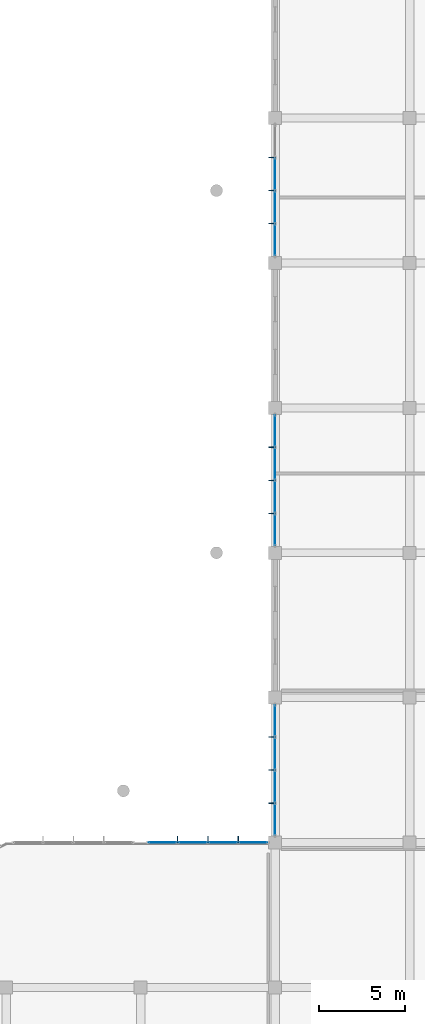
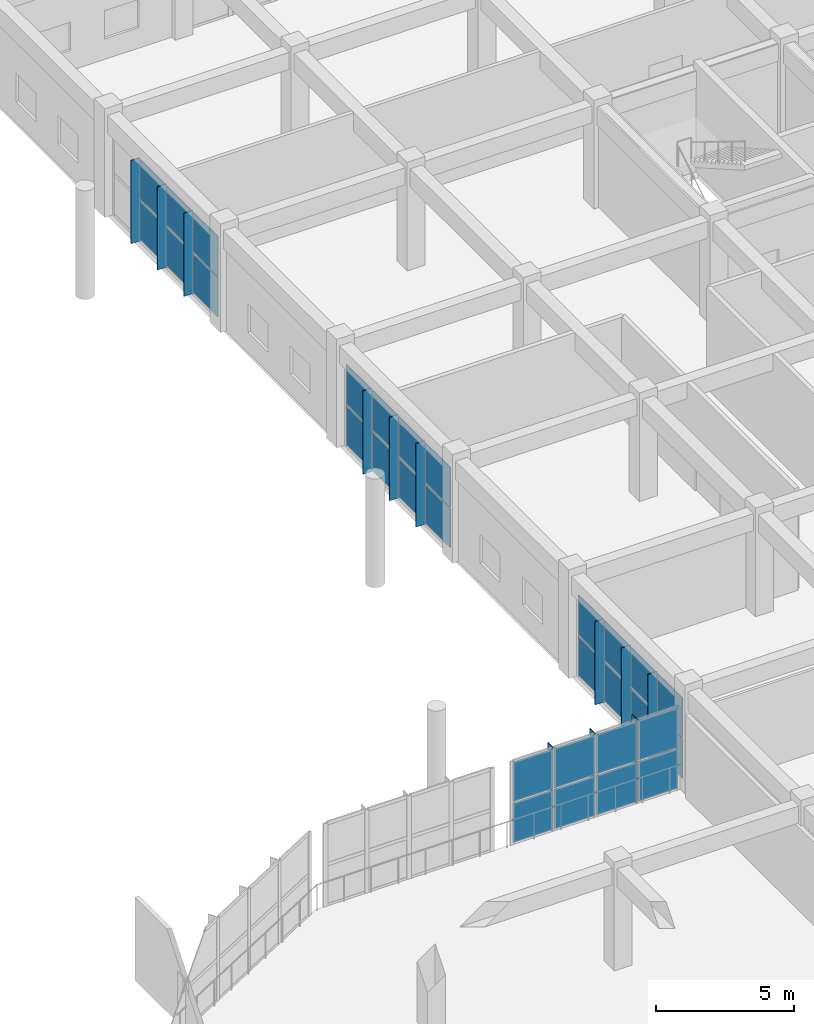
# One storey, part 141 of 175: 42 plates, 4 elements without a shape of their own.
"""IFC4 building model written with IfcOpenShell, lengths in metres."""

from ifc_helpers import new_model, si_unit, direction, frame, origin, origin_2d, place, context, subcontext, project, spatial, polyline, rectangle, outline, extrude, material, layer, layer_set, type_object, element, aggregate, save


model = new_model("IFC4")

# Units and contexts
model_context = context("Model", 3, precision=1e-05, world=origin(), true_north=direction((0.0, 1.0)))
body_context = subcontext(model_context, "Body", "Model", "MODEL_VIEW")
ifc_project = project(units=[si_unit("LENGTHUNIT", "METRE"), si_unit("AREAUNIT", "SQUARE_METRE"), si_unit("VOLUMEUNIT", "CUBIC_METRE"), si_unit("PLANEANGLEUNIT", "RADIAN"), si_unit("MASSUNIT", "GRAM", prefix="KILO")], contexts=[model_context])

# Site, building, storey
site_placement = place(None, origin())
site = spatial("IfcSite", under=ifc_project, at=site_placement, CompositionType="ELEMENT")
building_placement = place(site_placement, origin())
building = spatial("IfcBuilding", under=site, at=building_placement, Name="Zizhar Promenade General Hospital", CompositionType="ELEMENT")
storey_placement = place(building_placement, frame((0.0, 0.0, 4.800048828125)))
storey = spatial("IfcBuildingStorey", under=building, at=storey_placement, Name="L01", CompositionType="ELEMENT", Elevation=4.800048828125)

# Curtain wall, plates
ifc_material_1 = material(Name="Anodised aluminium 6063-T6 and low-E glass", Category="aluminium")
ifc_layer_1 = layer(ifc_material_1, 0.159912109375)
ifc_layer_set_1 = layer_set([ifc_layer_1], Name="Anodised aluminium 6063-T6 and low-E glass")
curtain_wall_type_1 = type_object("IfcCurtainWallType", Name="CW-DT-MOD2", PredefinedType="NOTDEFINED", material=ifc_layer_set_1)
curtain_wall_1_placement = place(storey_placement, origin())
curtain_wall_1 = element("IfcCurtainWall", 1, at=curtain_wall_1_placement, inside=storey, type_object=curtain_wall_type_1, Name="West Diagnostic Arm Glazed Curtain Wall L01-N2", PredefinedType="NOTDEFINED")
ifc_material_2 = material(Name="Low-E solar-control glass", Category="glass")
ifc_layer_2 = layer(ifc_material_2, 0.031982421875)
ifc_layer_set_2 = layer_set([ifc_layer_2], Name="Low-E solar-control glass")
plate_type_1 = type_object("IfcPlateType", Name="CWP-GLZ-32", PredefinedType="CURTAIN_PANEL", material=ifc_layer_set_2)
plate_1_placement = place(storey_placement, frame((40.280029296875, 84.0, 0.06005859375), z_axis=(0.0, 0.0, 1.0), x_axis=(1.0, 0.0, 0.0)))
plate_1 = element("IfcPlate", 2, at=plate_1_placement, type_object=plate_type_1, Name="CW-08 panel 1.1", PredefinedType="CURTAIN_PANEL", context=body_context, shape_type="SweptSolid", body=[
    extrude(rectangle(XDim=1.639892578125, YDim=0.031982421875, at=origin_2d()), origin(), (0.0, 0.0, 1.0), 1.75),
])
plate_2_placement = place(storey_placement, frame((40.280029296875, 84.0, 1.869873046875), z_axis=(0.0, 0.0, 1.0), x_axis=(1.0, 0.0, 0.0)))
plate_2 = element("IfcPlate", 3, at=plate_2_placement, type_object=plate_type_1, Name="CW-08 panel 1.2", PredefinedType="CURTAIN_PANEL", context=body_context, shape_type="SweptSolid", body=[
    extrude(rectangle(XDim=1.639892578125, YDim=0.031982421875, at=origin_2d()), origin(), (0.0, 0.0, 1.0), 1.75),
])
plate_3_placement = place(storey_placement, frame((42.02001953125, 84.0, 0.06005859375), z_axis=(0.0, 0.0, 1.0), x_axis=(1.0, 0.0, 0.0)))
plate_3 = element("IfcPlate", 4, at=plate_3_placement, type_object=plate_type_1, Name="CW-08 panel 2.1", PredefinedType="CURTAIN_PANEL", context=body_context, shape_type="SweptSolid", body=[
    extrude(rectangle(XDim=1.679931640625, YDim=0.031982421875, at=origin_2d()), origin(), (0.0, 0.0, 1.0), 1.75),
])
plate_4_placement = place(storey_placement, frame((42.02001953125, 84.0, 1.869873046875), z_axis=(0.0, 0.0, 1.0), x_axis=(1.0, 0.0, 0.0)))
plate_4 = element("IfcPlate", 5, at=plate_4_placement, type_object=plate_type_1, Name="CW-08 panel 2.2", PredefinedType="CURTAIN_PANEL", context=body_context, shape_type="SweptSolid", body=[
    extrude(rectangle(XDim=1.679931640625, YDim=0.031982421875, at=origin_2d()), origin(), (0.0, 0.0, 1.0), 1.75),
])
plate_5_placement = place(storey_placement, frame((43.780029296875, 84.0, 0.06005859375), z_axis=(0.0, 0.0, 1.0), x_axis=(1.0, 0.0, 0.0)))
plate_5 = element("IfcPlate", 6, at=plate_5_placement, type_object=plate_type_1, Name="CW-08 panel 3.1", PredefinedType="CURTAIN_PANEL", context=body_context, shape_type="SweptSolid", body=[
    extrude(rectangle(XDim=1.679931640625, YDim=0.031982421875, at=origin_2d()), origin(), (0.0, 0.0, 1.0), 1.75),
])
plate_6_placement = place(storey_placement, frame((43.780029296875, 84.0, 1.869873046875), z_axis=(0.0, 0.0, 1.0), x_axis=(1.0, 0.0, 0.0)))
plate_6 = element("IfcPlate", 7, at=plate_6_placement, type_object=plate_type_1, Name="CW-08 panel 3.2", PredefinedType="CURTAIN_PANEL", context=body_context, shape_type="SweptSolid", body=[
    extrude(rectangle(XDim=1.679931640625, YDim=0.031982421875, at=origin_2d()), origin(), (0.0, 0.0, 1.0), 1.75),
])
plate_7_placement = place(storey_placement, frame((45.52001953125, 84.0, 0.06005859375), z_axis=(0.0, 0.0, 1.0), x_axis=(1.0, 0.0, 0.0)))
plate_7 = element("IfcPlate", 8, at=plate_7_placement, type_object=plate_type_1, Name="CW-08 panel 4.1", PredefinedType="CURTAIN_PANEL", context=body_context, shape_type="SweptSolid", body=[
    extrude(rectangle(XDim=1.639892578125, YDim=0.031982421875, at=origin_2d()), origin(), (0.0, 0.0, 1.0), 1.75),
])
plate_8_placement = place(storey_placement, frame((45.52001953125, 84.0, 1.869873046875), z_axis=(0.0, 0.0, 1.0), x_axis=(1.0, 0.0, 0.0)))
plate_8 = element("IfcPlate", 9, at=plate_8_placement, type_object=plate_type_1, Name="CW-08 panel 4.2", PredefinedType="CURTAIN_PANEL", context=body_context, shape_type="SweptSolid", body=[
    extrude(rectangle(XDim=1.639892578125, YDim=0.031982421875, at=origin_2d()), origin(), (0.0, 0.0, 1.0), 1.75),
])
aggregate(curtain_wall_1, [plate_1, plate_2, plate_3, plate_4, plate_5, plate_6, plate_7, plate_8])

ifc_material_3 = material(Name="Anodised aluminium 6063-T6 and low-E glass", Category="aluminium")
ifc_layer_3 = layer(ifc_material_3, 0.159912109375)
ifc_layer_set_3 = layer_set([ifc_layer_3], Name="Anodised aluminium 6063-T6 and low-E glass")
curtain_wall_type_2 = type_object("IfcCurtainWallType", Name="CW-DT-MOD1", PredefinedType="NOTDEFINED", material=ifc_layer_set_3)
curtain_wall_2_placement = place(storey_placement, origin())
curtain_wall_2 = element("IfcCurtainWall", 10, at=curtain_wall_2_placement, inside=storey, type_object=curtain_wall_type_2, Name="Surgical West Glazed Curtain Wall L01-10", PredefinedType="NOTDEFINED")
plate_9_placement = place(storey_placement, frame((46.800048828125, 85.340087890625, 0.06005859375), z_axis=(0.0, 0.0, 1.0), x_axis=(0.0, 1.0, 0.0)))
plate_9 = element("IfcPlate", 11, at=plate_9_placement, type_object=plate_type_1, Name="CW-07 panel 1.1", PredefinedType="CURTAIN_PANEL", context=body_context, shape_type="SweptSolid", body=[
    extrude(rectangle(XDim=1.800048828125, YDim=0.031982421875, at=origin_2d()), origin(), (0.0, 0.0, 1.0), 1.75),
])
plate_10_placement = place(storey_placement, frame((46.800048828125, 85.340087890625, 1.869873046875), z_axis=(0.0, 0.0, 1.0), x_axis=(0.0, 1.0, 0.0)))
plate_10 = element("IfcPlate", 12, at=plate_10_placement, type_object=plate_type_1, Name="CW-07 panel 1.2", PredefinedType="CURTAIN_PANEL", context=body_context, shape_type="SweptSolid", body=[
    extrude(rectangle(XDim=1.800048828125, YDim=0.031982421875, at=origin_2d()), origin(), (0.0, 0.0, 1.0), 1.75),
])
plate_11_placement = place(storey_placement, frame((46.800048828125, 87.239990234375, 0.06005859375), z_axis=(0.0, 0.0, 1.0), x_axis=(0.0, 1.0, 0.0)))
plate_11 = element("IfcPlate", 13, at=plate_11_placement, type_object=plate_type_1, Name="CW-07 panel 2.1", PredefinedType="CURTAIN_PANEL", context=body_context, shape_type="SweptSolid", body=[
    extrude(rectangle(XDim=1.840087890625, YDim=0.031982421875, at=origin_2d()), origin(), (0.0, 0.0, 1.0), 1.75),
])
plate_12_placement = place(storey_placement, frame((46.800048828125, 87.239990234375, 1.869873046875), z_axis=(0.0, 0.0, 1.0), x_axis=(0.0, 1.0, 0.0)))
plate_12 = element("IfcPlate", 14, at=plate_12_placement, type_object=plate_type_1, Name="CW-07 panel 2.2", PredefinedType="CURTAIN_PANEL", context=body_context, shape_type="SweptSolid", body=[
    extrude(rectangle(XDim=1.840087890625, YDim=0.031982421875, at=origin_2d()), origin(), (0.0, 0.0, 1.0), 1.75),
])
plate_13_placement = place(storey_placement, frame((46.800048828125, 89.159912109375, 0.06005859375), z_axis=(0.0, 0.0, 1.0), x_axis=(0.0, 1.0, 0.0)))
plate_13 = element("IfcPlate", 15, at=plate_13_placement, type_object=plate_type_1, Name="CW-07 panel 3.1", PredefinedType="CURTAIN_PANEL", context=body_context, shape_type="SweptSolid", body=[
    extrude(rectangle(XDim=1.840087890625, YDim=0.031982421875, at=origin_2d()), origin(), (0.0, 0.0, 1.0), 1.75),
])
plate_14_placement = place(storey_placement, frame((46.800048828125, 89.159912109375, 1.869873046875), z_axis=(0.0, 0.0, 1.0), x_axis=(0.0, 1.0, 0.0)))
plate_14 = element("IfcPlate", 16, at=plate_14_placement, type_object=plate_type_1, Name="CW-07 panel 3.2", PredefinedType="CURTAIN_PANEL", context=body_context, shape_type="SweptSolid", body=[
    extrude(rectangle(XDim=1.840087890625, YDim=0.031982421875, at=origin_2d()), origin(), (0.0, 0.0, 1.0), 1.75),
])
plate_15_placement = place(storey_placement, frame((46.800048828125, 91.06005859375, 0.06005859375), z_axis=(0.0, 0.0, 1.0), x_axis=(0.0, 1.0, 0.0)))
plate_15 = element("IfcPlate", 17, at=plate_15_placement, type_object=plate_type_1, Name="CW-07 panel 4.1", PredefinedType="CURTAIN_PANEL", context=body_context, shape_type="SweptSolid", body=[
    extrude(rectangle(XDim=1.800048828125, YDim=0.031982421875, at=origin_2d()), origin(), (0.0, 0.0, 1.0), 1.75),
])
plate_16_placement = place(storey_placement, frame((46.800048828125, 91.06005859375, 1.869873046875), z_axis=(0.0, 0.0, 1.0), x_axis=(0.0, 1.0, 0.0)))
plate_16 = element("IfcPlate", 18, at=plate_16_placement, type_object=plate_type_1, Name="CW-07 panel 4.2", PredefinedType="CURTAIN_PANEL", context=body_context, shape_type="SweptSolid", body=[
    extrude(rectangle(XDim=1.800048828125, YDim=0.031982421875, at=origin_2d()), origin(), (0.0, 0.0, 1.0), 1.75),
])
aggregate(curtain_wall_2, [plate_9, plate_10, plate_11, plate_12, plate_13, plate_14, plate_15, plate_16])

curtain_wall_3_placement = place(storey_placement, origin())
curtain_wall_3 = element("IfcCurtainWall", 19, at=curtain_wall_3_placement, inside=storey, type_object=curtain_wall_type_2, Name="Surgical West Glazed Curtain Wall L01-12", PredefinedType="NOTDEFINED")
plate_17_placement = place(storey_placement, frame((46.800048828125, 102.139892578125, 0.06005859375), z_axis=(0.0, 0.0, 1.0), x_axis=(0.0, 1.0, 0.0)))
plate_17 = element("IfcPlate", 20, at=plate_17_placement, type_object=plate_type_1, Name="CW-07 panel 1.1", PredefinedType="CURTAIN_PANEL", context=body_context, shape_type="SweptSolid", body=[
    extrude(rectangle(XDim=1.800048828125, YDim=0.031982421875, at=origin_2d()), origin(), (0.0, 0.0, 1.0), 1.75),
])
plate_18_placement = place(storey_placement, frame((46.800048828125, 102.139892578125, 1.869873046875), z_axis=(0.0, 0.0, 1.0), x_axis=(0.0, 1.0, 0.0)))
plate_18 = element("IfcPlate", 21, at=plate_18_placement, type_object=plate_type_1, Name="CW-07 panel 1.2", PredefinedType="CURTAIN_PANEL", context=body_context, shape_type="SweptSolid", body=[
    extrude(rectangle(XDim=1.800048828125, YDim=0.031982421875, at=origin_2d()), origin(), (0.0, 0.0, 1.0), 1.75),
])
plate_19_placement = place(storey_placement, frame((46.800048828125, 104.0400390625, 0.06005859375), z_axis=(0.0, 0.0, 1.0), x_axis=(0.0, 1.0, 0.0)))
plate_19 = element("IfcPlate", 22, at=plate_19_placement, type_object=plate_type_1, Name="CW-07 panel 2.1", PredefinedType="CURTAIN_PANEL", context=body_context, shape_type="SweptSolid", body=[
    extrude(rectangle(XDim=1.840087890625, YDim=0.031982421875, at=origin_2d()), origin(), (0.0, 0.0, 1.0), 1.75),
])
plate_20_placement = place(storey_placement, frame((46.800048828125, 104.0400390625, 1.869873046875), z_axis=(0.0, 0.0, 1.0), x_axis=(0.0, 1.0, 0.0)))
plate_20 = element("IfcPlate", 23, at=plate_20_placement, type_object=plate_type_1, Name="CW-07 panel 2.2", PredefinedType="CURTAIN_PANEL", context=body_context, shape_type="SweptSolid", body=[
    extrude(rectangle(XDim=1.840087890625, YDim=0.031982421875, at=origin_2d()), origin(), (0.0, 0.0, 1.0), 1.75),
])
plate_21_placement = place(storey_placement, frame((46.800048828125, 105.9599609375, 0.06005859375), z_axis=(0.0, 0.0, 1.0), x_axis=(0.0, 1.0, 0.0)))
plate_21 = element("IfcPlate", 24, at=plate_21_placement, type_object=plate_type_1, Name="CW-07 panel 3.1", PredefinedType="CURTAIN_PANEL", context=body_context, shape_type="SweptSolid", body=[
    extrude(rectangle(XDim=1.840087890625, YDim=0.031982421875, at=origin_2d()), origin(), (0.0, 0.0, 1.0), 1.75),
])
plate_22_placement = place(storey_placement, frame((46.800048828125, 105.9599609375, 1.869873046875), z_axis=(0.0, 0.0, 1.0), x_axis=(0.0, 1.0, 0.0)))
plate_22 = element("IfcPlate", 25, at=plate_22_placement, type_object=plate_type_1, Name="CW-07 panel 3.2", PredefinedType="CURTAIN_PANEL", context=body_context, shape_type="SweptSolid", body=[
    extrude(rectangle(XDim=1.840087890625, YDim=0.031982421875, at=origin_2d()), origin(), (0.0, 0.0, 1.0), 1.75),
])
plate_23_placement = place(storey_placement, frame((46.800048828125, 107.860107421875, 0.06005859375), z_axis=(0.0, 0.0, 1.0), x_axis=(0.0, 1.0, 0.0)))
plate_23 = element("IfcPlate", 26, at=plate_23_placement, type_object=plate_type_1, Name="CW-07 panel 4.1", PredefinedType="CURTAIN_PANEL", context=body_context, shape_type="SweptSolid", body=[
    extrude(rectangle(XDim=1.800048828125, YDim=0.031982421875, at=origin_2d()), origin(), (0.0, 0.0, 1.0), 1.75),
])
plate_24_placement = place(storey_placement, frame((46.800048828125, 107.860107421875, 1.869873046875), z_axis=(0.0, 0.0, 1.0), x_axis=(0.0, 1.0, 0.0)))
plate_24 = element("IfcPlate", 27, at=plate_24_placement, type_object=plate_type_1, Name="CW-07 panel 4.2", PredefinedType="CURTAIN_PANEL", context=body_context, shape_type="SweptSolid", body=[
    extrude(rectangle(XDim=1.800048828125, YDim=0.031982421875, at=origin_2d()), origin(), (0.0, 0.0, 1.0), 1.75),
])
aggregate(curtain_wall_3, [plate_17, plate_18, plate_19, plate_20, plate_21, plate_22, plate_23, plate_24])

curtain_wall_4_placement = place(storey_placement, origin())
curtain_wall_4 = element("IfcCurtainWall", 28, at=curtain_wall_4_placement, inside=storey, type_object=curtain_wall_type_2, Name="Surgical West Glazed Curtain Wall L01-14", PredefinedType="NOTDEFINED")
plate_25_placement = place(storey_placement, frame((46.800048828125, 118.93994140625, 0.06005859375), z_axis=(0.0, 0.0, 1.0), x_axis=(0.0, 1.0, 0.0)))
plate_25 = element("IfcPlate", 29, at=plate_25_placement, type_object=plate_type_1, Name="CW-07 panel 1.1", PredefinedType="CURTAIN_PANEL", context=body_context, shape_type="SweptSolid", body=[
    extrude(rectangle(XDim=1.800048828125, YDim=0.031982421875, at=origin_2d()), origin(), (0.0, 0.0, 1.0), 1.75),
])
plate_26_placement = place(storey_placement, frame((46.800048828125, 118.93994140625, 1.869873046875), z_axis=(0.0, 0.0, 1.0), x_axis=(0.0, 1.0, 0.0)))
plate_26 = element("IfcPlate", 30, at=plate_26_placement, type_object=plate_type_1, Name="CW-07 panel 1.2", PredefinedType="CURTAIN_PANEL", context=body_context, shape_type="SweptSolid", body=[
    extrude(rectangle(XDim=1.800048828125, YDim=0.031982421875, at=origin_2d()), origin(), (0.0, 0.0, 1.0), 1.75),
])
plate_27_placement = place(storey_placement, frame((46.800048828125, 120.840087890625, 0.06005859375), z_axis=(0.0, 0.0, 1.0), x_axis=(0.0, 1.0, 0.0)))
plate_27 = element("IfcPlate", 31, at=plate_27_placement, type_object=plate_type_1, Name="CW-07 panel 2.1", PredefinedType="CURTAIN_PANEL", context=body_context, shape_type="SweptSolid", body=[
    extrude(rectangle(XDim=1.840087890625, YDim=0.031982421875, at=origin_2d()), origin(), (0.0, 0.0, 1.0), 1.75),
])
plate_28_placement = place(storey_placement, frame((46.800048828125, 120.840087890625, 1.869873046875), z_axis=(0.0, 0.0, 1.0), x_axis=(0.0, 1.0, 0.0)))
plate_28 = element("IfcPlate", 32, at=plate_28_placement, type_object=plate_type_1, Name="CW-07 panel 2.2", PredefinedType="CURTAIN_PANEL", context=body_context, shape_type="SweptSolid", body=[
    extrude(rectangle(XDim=1.840087890625, YDim=0.031982421875, at=origin_2d()), origin(), (0.0, 0.0, 1.0), 1.75),
])
plate_29_placement = place(storey_placement, frame((46.800048828125, 122.760009765625, 0.06005859375), z_axis=(0.0, 0.0, 1.0), x_axis=(0.0, 1.0, 0.0)))
plate_29 = element("IfcPlate", 33, at=plate_29_placement, type_object=plate_type_1, Name="CW-07 panel 3.1", PredefinedType="CURTAIN_PANEL", context=body_context, shape_type="SweptSolid", body=[
    extrude(rectangle(XDim=1.840087890625, YDim=0.031982421875, at=origin_2d()), origin(), (0.0, 0.0, 1.0), 1.75),
])
plate_30_placement = place(storey_placement, frame((46.800048828125, 122.760009765625, 1.869873046875), z_axis=(0.0, 0.0, 1.0), x_axis=(0.0, 1.0, 0.0)))
plate_30 = element("IfcPlate", 34, at=plate_30_placement, type_object=plate_type_1, Name="CW-07 panel 3.2", PredefinedType="CURTAIN_PANEL", context=body_context, shape_type="SweptSolid", body=[
    extrude(rectangle(XDim=1.840087890625, YDim=0.031982421875, at=origin_2d()), origin(), (0.0, 0.0, 1.0), 1.75),
])
aggregate(curtain_wall_4, [plate_25, plate_26, plate_27, plate_28, plate_29, plate_30])

# Plates
ifc_material_4 = material(Name="Anodised aluminium 6063-T6", Category="aluminium")
ifc_layer_4 = layer(ifc_material_4, 0.035888671875)
ifc_layer_set_4 = layer_set([ifc_layer_4], Name="Anodised aluminium 6063-T6")
plate_type_2 = type_object("IfcPlateType", Name="FIN-ALU-380", PredefinedType="USERDEFINED", material=ifc_layer_set_4)
plate_31_placement = place(storey_placement, origin())
element("IfcPlate", 35, at=plate_31_placement, inside=storey, type_object=plate_type_2, Name="West Diagnostic Arm Glazed Curtain Wall L01-N2 Solar Fin 1", ObjectType="SOLAR_SHADE", PredefinedType="USERDEFINED", context=body_context, shape_type="SweptSolid", body=[
    extrude(outline(polyline([(41.1220703125, 84.0), (41.157958984375, 84.0), (41.157958984375, 84.3798828125), (41.1220703125, 84.3798828125), (41.1220703125, 84.0)])), origin(), (0.0, 0.0, 1.0), 3.679931640625),
])
plate_32_placement = place(storey_placement, origin())
element("IfcPlate", 36, at=plate_32_placement, inside=storey, type_object=plate_type_2, Name="West Diagnostic Arm Glazed Curtain Wall L01-N2 Solar Fin 2", ObjectType="SOLAR_SHADE", PredefinedType="USERDEFINED", context=body_context, shape_type="SweptSolid", body=[
    extrude(outline(polyline([(42.882080078125, 84.0), (42.91796875, 84.0), (42.91796875, 84.3798828125), (42.882080078125, 84.3798828125), (42.882080078125, 84.0)])), origin(), (0.0, 0.0, 1.0), 3.679931640625),
])
plate_33_placement = place(storey_placement, origin())
element("IfcPlate", 37, at=plate_33_placement, inside=storey, type_object=plate_type_2, Name="West Diagnostic Arm Glazed Curtain Wall L01-N2 Solar Fin 3", ObjectType="SOLAR_SHADE", PredefinedType="USERDEFINED", context=body_context, shape_type="SweptSolid", body=[
    extrude(outline(polyline([(44.64208984375, 84.0), (44.677978515625, 84.0), (44.677978515625, 84.3798828125), (44.64208984375, 84.3798828125), (44.64208984375, 84.0)])), origin(), (0.0, 0.0, 1.0), 3.679931640625),
])
plate_34_placement = place(storey_placement, origin())
element("IfcPlate", 38, at=plate_34_placement, inside=storey, type_object=plate_type_2, Name="Surgical West Glazed Curtain Wall L01-10 Solar Fin 1", ObjectType="SOLAR_SHADE", PredefinedType="USERDEFINED", context=body_context, shape_type="SweptSolid", body=[
    extrude(outline(polyline([(46.800048828125, 86.261962890625), (46.800048828125, 86.298095703125), (46.419921875, 86.298095703125), (46.419921875, 86.261962890625), (46.800048828125, 86.261962890625)])), origin(), (0.0, 0.0, 1.0), 3.679931640625),
])
plate_35_placement = place(storey_placement, origin())
element("IfcPlate", 39, at=plate_35_placement, inside=storey, type_object=plate_type_2, Name="Surgical West Glazed Curtain Wall L01-10 Solar Fin 2", ObjectType="SOLAR_SHADE", PredefinedType="USERDEFINED", context=body_context, shape_type="SweptSolid", body=[
    extrude(outline(polyline([(46.800048828125, 88.181884765625), (46.800048828125, 88.218017578125), (46.419921875, 88.218017578125), (46.419921875, 88.181884765625), (46.800048828125, 88.181884765625)])), origin(), (0.0, 0.0, 1.0), 3.679931640625),
])
plate_36_placement = place(storey_placement, origin())
element("IfcPlate", 40, at=plate_36_placement, inside=storey, type_object=plate_type_2, Name="Surgical West Glazed Curtain Wall L01-10 Solar Fin 3", ObjectType="SOLAR_SHADE", PredefinedType="USERDEFINED", context=body_context, shape_type="SweptSolid", body=[
    extrude(outline(polyline([(46.800048828125, 90.10205078125), (46.800048828125, 90.137939453125), (46.419921875, 90.137939453125), (46.419921875, 90.10205078125), (46.800048828125, 90.10205078125)])), origin(), (0.0, 0.0, 1.0), 3.679931640625),
])
plate_37_placement = place(storey_placement, origin())
element("IfcPlate", 41, at=plate_37_placement, inside=storey, type_object=plate_type_2, Name="Surgical West Glazed Curtain Wall L01-12 Solar Fin 1", ObjectType="SOLAR_SHADE", PredefinedType="USERDEFINED", context=body_context, shape_type="SweptSolid", body=[
    extrude(outline(polyline([(46.800048828125, 103.06201171875), (46.800048828125, 103.097900390625), (46.419921875, 103.097900390625), (46.419921875, 103.06201171875), (46.800048828125, 103.06201171875)])), origin(), (0.0, 0.0, 1.0), 3.679931640625),
])
plate_38_placement = place(storey_placement, origin())
element("IfcPlate", 42, at=plate_38_placement, inside=storey, type_object=plate_type_2, Name="Surgical West Glazed Curtain Wall L01-12 Solar Fin 2", ObjectType="SOLAR_SHADE", PredefinedType="USERDEFINED", context=body_context, shape_type="SweptSolid", body=[
    extrude(outline(polyline([(46.800048828125, 104.98193359375), (46.800048828125, 105.01806640625), (46.419921875, 105.01806640625), (46.419921875, 104.98193359375), (46.800048828125, 104.98193359375)])), origin(), (0.0, 0.0, 1.0), 3.679931640625),
])
plate_39_placement = place(storey_placement, origin())
element("IfcPlate", 43, at=plate_39_placement, inside=storey, type_object=plate_type_2, Name="Surgical West Glazed Curtain Wall L01-12 Solar Fin 3", ObjectType="SOLAR_SHADE", PredefinedType="USERDEFINED", context=body_context, shape_type="SweptSolid", body=[
    extrude(outline(polyline([(46.800048828125, 106.902099609375), (46.800048828125, 106.93798828125), (46.419921875, 106.93798828125), (46.419921875, 106.902099609375), (46.800048828125, 106.902099609375)])), origin(), (0.0, 0.0, 1.0), 3.679931640625),
])
plate_40_placement = place(storey_placement, origin())
element("IfcPlate", 44, at=plate_40_placement, inside=storey, type_object=plate_type_2, Name="Surgical West Glazed Curtain Wall L01-14 Solar Fin 1", ObjectType="SOLAR_SHADE", PredefinedType="USERDEFINED", context=body_context, shape_type="SweptSolid", body=[
    extrude(outline(polyline([(46.800048828125, 119.862060546875), (46.800048828125, 119.89794921875), (46.419921875, 119.89794921875), (46.419921875, 119.862060546875), (46.800048828125, 119.862060546875)])), origin(), (0.0, 0.0, 1.0), 3.679931640625),
])
plate_41_placement = place(storey_placement, origin())
element("IfcPlate", 45, at=plate_41_placement, inside=storey, type_object=plate_type_2, Name="Surgical West Glazed Curtain Wall L01-14 Solar Fin 2", ObjectType="SOLAR_SHADE", PredefinedType="USERDEFINED", context=body_context, shape_type="SweptSolid", body=[
    extrude(outline(polyline([(46.800048828125, 121.781982421875), (46.800048828125, 121.818115234375), (46.419921875, 121.818115234375), (46.419921875, 121.781982421875), (46.800048828125, 121.781982421875)])), origin(), (0.0, 0.0, 1.0), 3.679931640625),
])
plate_42_placement = place(storey_placement, origin())
element("IfcPlate", 46, at=plate_42_placement, inside=storey, type_object=plate_type_2, Name="Surgical West Glazed Curtain Wall L01-14 Solar Fin 3", ObjectType="SOLAR_SHADE", PredefinedType="USERDEFINED", context=body_context, shape_type="SweptSolid", body=[
    extrude(outline(polyline([(46.800048828125, 123.701904296875), (46.800048828125, 123.738037109375), (46.419921875, 123.738037109375), (46.419921875, 123.701904296875), (46.800048828125, 123.701904296875)])), origin(), (0.0, 0.0, 1.0), 3.679931640625),
])

save(model, "model.ifc")
